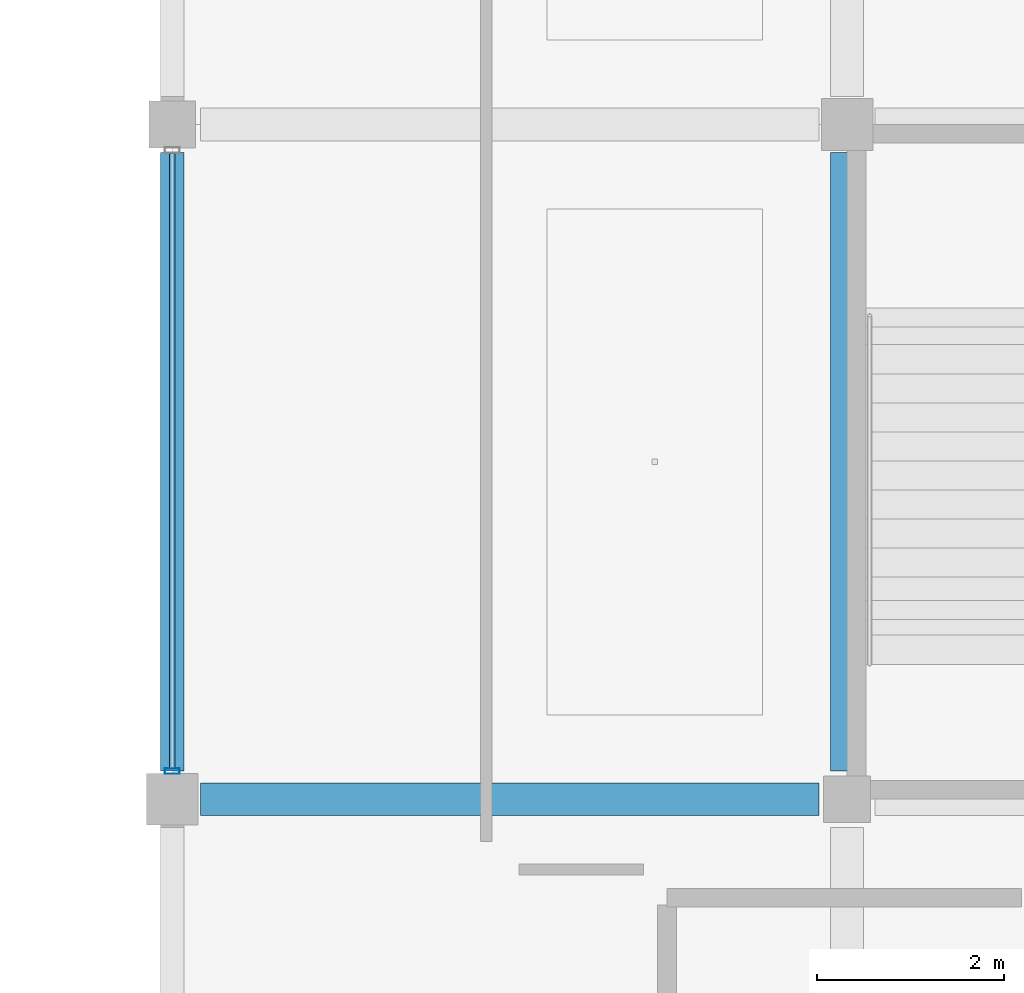
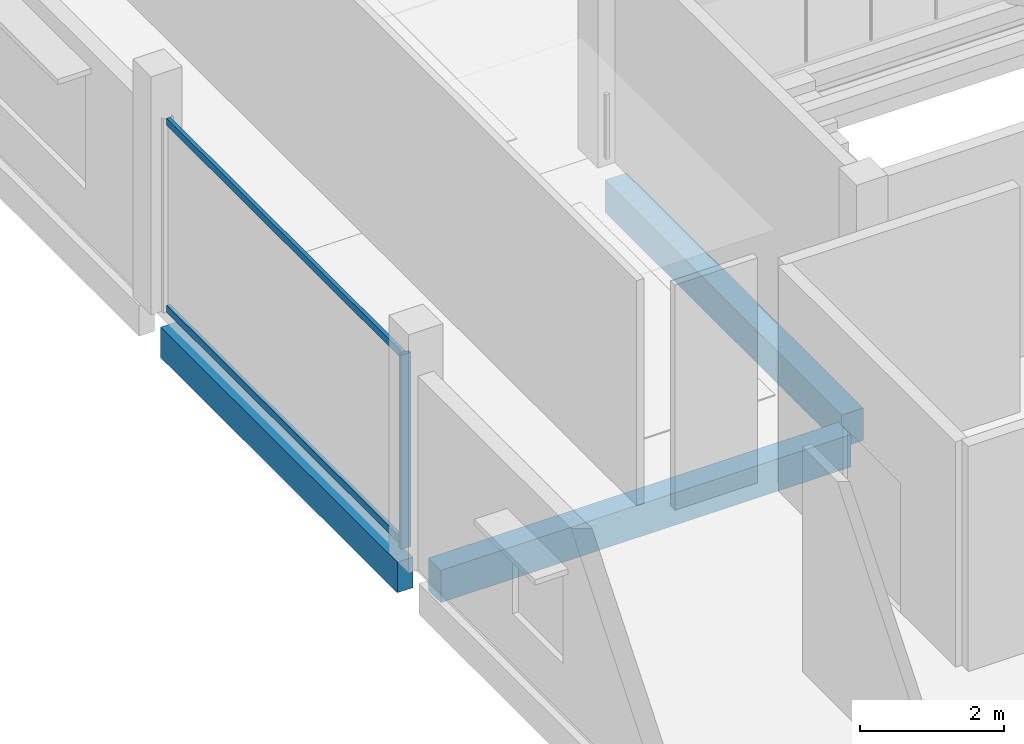
# One storey, part 6 of 26: 3 beams, 3 members, 1 element without a shape of its own.
"""IFC4 building model written with IfcOpenShell, lengths in metres."""

from ifc_helpers import new_model, si_unit, direction, frame, origin, origin_2d, place, context, subcontext, project, spatial, rectangle, hollow_rectangle, extrude, material, layer, layer_set, material_profile, profile_set, type_object, element, aggregate, save


model = new_model("IFC4")

# Units and contexts
model_context = context("Model", 3, precision=1e-05, world=origin(), true_north=direction((0.0, 1.0)))
body_context = subcontext(model_context, "Body", "Model", "MODEL_VIEW")
ifc_project = project(units=[si_unit("LENGTHUNIT", "METRE"), si_unit("AREAUNIT", "SQUARE_METRE"), si_unit("VOLUMEUNIT", "CUBIC_METRE"), si_unit("PLANEANGLEUNIT", "RADIAN"), si_unit("MASSUNIT", "GRAM", prefix="KILO")], contexts=[model_context])

# Site, building, storey
site_placement = place(None, origin())
site = spatial("IfcSite", under=ifc_project, at=site_placement, CompositionType="ELEMENT")
building_placement = place(site_placement, origin())
building = spatial("IfcBuilding", under=site, at=building_placement, Name="Kangsadwip Square Police Headquarters", CompositionType="ELEMENT")
storey_placement = place(building_placement, frame((0.0, 0.0, 25.64990234375)))
storey = spatial("IfcBuildingStorey", under=building, at=storey_placement, Name="L06", CompositionType="ELEMENT", Elevation=25.64990234375)

# Curtain wall, members
ifc_material_1 = material(Name="Thermally broken anodised aluminium AW-6063-T6", Category="aluminium")
ifc_layer = layer(ifc_material_1, 0.159912109375)
ifc_layer_set = layer_set([ifc_layer], Name="Thermally broken anodised aluminium AW-6063-T6")
curtain_wall_type = type_object("IfcCurtainWallType", Name="CourtScreen6685x3300", PredefinedType="USERDEFINED", material=ifc_layer_set)
curtain_wall_placement = place(storey_placement, origin())
curtain_wall = element("IfcCurtainWall", 1, at=curtain_wall_placement, inside=storey, type_object=curtain_wall_type, Name="Curtain Wall CW-L06-1440-0579", ObjectType="GLAZED_SCREEN", PredefinedType="USERDEFINED")
ifc_material_2 = material(Name="Thermally broken anodised aluminium AW-6063-T6", Category="aluminium")
ifc_material_profile_1 = material_profile(ifc_material_2, hollow_rectangle(XDim=0.06005859375, YDim=0.159912109375, WallThickness=0.00390625, at=origin_2d()), Name="CWM 160X60X4")
ifc_profile_set_1 = profile_set([ifc_material_profile_1], Name="Thermally broken anodised aluminium AW-6063-T6")
member_type_1 = type_object("IfcMemberType", Name="CwMullion135x60", PredefinedType="MULLION", material=ifc_profile_set_1)
member_1_placement = place(storey_placement, frame((144.0, 57.89990234375, 0.0), z_axis=(0.0, 0.0, 1.0), x_axis=(0.0, 1.0, 0.0)))
member_1 = element("IfcMember", 2, at=member_1_placement, type_object=member_type_1, Name="CW-53 mullion 1", PredefinedType="MULLION", context=body_context, shape_type="SweptSolid", body=[
    extrude(hollow_rectangle(XDim=0.06005859375, YDim=0.159912109375, WallThickness=0.00390625, at=origin_2d()), origin(), (0.0, 0.0, 1.0), 3.300048828125),
])
ifc_material_3 = material(Name="Thermally broken anodised aluminium AW-6063-T6", Category="aluminium")
ifc_material_profile_2 = material_profile(ifc_material_3, hollow_rectangle(XDim=0.06005859375, YDim=0.1201171875, WallThickness=0.00390625, at=origin_2d()), Name="CWT 120X60X4")
ifc_profile_set_2 = profile_set([ifc_material_profile_2], Name="Thermally broken anodised aluminium AW-6063-T6")
member_type_2 = type_object("IfcMemberType", Name="CwTransom120x55", PredefinedType="USERDEFINED", material=ifc_profile_set_2)
member_2_placement = place(storey_placement, frame((144.0, 57.929931640625, 0.06005859375), z_axis=(0.0, 1.0, 0.0), x_axis=(-1.0, 0.0, 0.0)))
member_2 = element("IfcMember", 3, at=member_2_placement, type_object=member_type_2, Name="CW-53 transom 1.1", ObjectType="TRANSOM", PredefinedType="USERDEFINED", context=body_context, shape_type="SweptSolid", body=[
    extrude(hollow_rectangle(XDim=0.06005859375, YDim=0.1201171875, WallThickness=0.00390625, at=origin_2d()), origin(), (0.0, 0.0, 1.0), 6.565185546875),
])
member_3_placement = place(storey_placement, frame((144.0, 57.929931640625, 3.239990234375), z_axis=(0.0, 1.0, 0.0), x_axis=(-1.0, 0.0, 0.0)))
member_3 = element("IfcMember", 4, at=member_3_placement, type_object=member_type_2, Name="CW-53 transom 1.2", ObjectType="TRANSOM", PredefinedType="USERDEFINED", context=body_context, shape_type="SweptSolid", body=[
    extrude(hollow_rectangle(XDim=0.06005859375, YDim=0.1201171875, WallThickness=0.00390625, at=origin_2d()), origin(), (0.0, 0.0, 1.0), 6.565185546875),
])
aggregate(curtain_wall, [member_1, member_2, member_3])

# Beams
ifc_material_4 = material(Name="Concrete M35 (35 MPa)", Category="concrete")
ifc_material_profile_3 = material_profile(ifc_material_4, rectangle(XDim=0.35009765625, YDim=0.550048828125, at=origin_2d()), Name="RC BM 550X350")
ifc_profile_set_3 = profile_set([ifc_material_profile_3], Name="Concrete M35 (35 MPa)")
beam_type_1 = type_object("IfcBeamType", Name="RcBeam550x350", PredefinedType="BEAM", material=ifc_profile_set_3)
beam_1_placement = place(storey_placement, frame((144.300048828125, 57.60009765625, -0.494873046875), z_axis=(1.0, 0.0, 0.0), x_axis=(0.0, 1.0, 0.0)))
element("IfcBeam", 5, at=beam_1_placement, inside=storey, type_object=beam_type_1, Name="Beam BM-L06-X-20-08", PredefinedType="BEAM", context=body_context, shape_type="SweptSolid", body=[
    extrude(rectangle(XDim=0.35009765625, YDim=0.550048828125, at=origin_2d()), origin(), (0.0, 0.0, 1.0), 6.599853515625),
])
beam_2_placement = place(storey_placement, frame((151.199951171875, 57.89990234375, -0.494873046875), z_axis=(0.0, 1.0, 0.0), x_axis=(-1.0, 0.0, 0.0)))
element("IfcBeam", 6, at=beam_2_placement, inside=storey, type_object=beam_type_1, Name="Beam BM-L06-Y-21-08", PredefinedType="BEAM", context=body_context, shape_type="SweptSolid", body=[
    extrude(rectangle(XDim=0.35009765625, YDim=0.550048828125, at=origin_2d()), origin(), (0.0, 0.0, 1.0), 6.60009765625),
])
ifc_material_5 = material(Name="Concrete M35 (35 MPa)", Category="concrete")
ifc_material_profile_4 = material_profile(ifc_material_5, rectangle(XDim=0.25, YDim=0.52001953125, at=origin_2d()), Name="RC SPN 520X250")
ifc_profile_set_4 = profile_set([ifc_material_profile_4], Name="Concrete M35 (35 MPa)")
beam_type_2 = type_object("IfcBeamType", Name="RcSpandrel520x250", PredefinedType="SPANDREL", material=ifc_profile_set_4)
beam_3_placement = place(storey_placement, frame((144.0, 57.89990234375, -0.47998046875), z_axis=(0.0, 1.0, 0.0), x_axis=(-1.0, 0.0, 0.0)))
element("IfcBeam", 7, at=beam_3_placement, inside=storey, type_object=beam_type_2, Name="Beam BM-L06-Y-20-08", PredefinedType="SPANDREL", context=body_context, shape_type="SweptSolid", body=[
    extrude(rectangle(XDim=0.25, YDim=0.52001953125, at=origin_2d()), origin(), (0.0, 0.0, 1.0), 6.60009765625),
])

save(model, "model.ifc")
